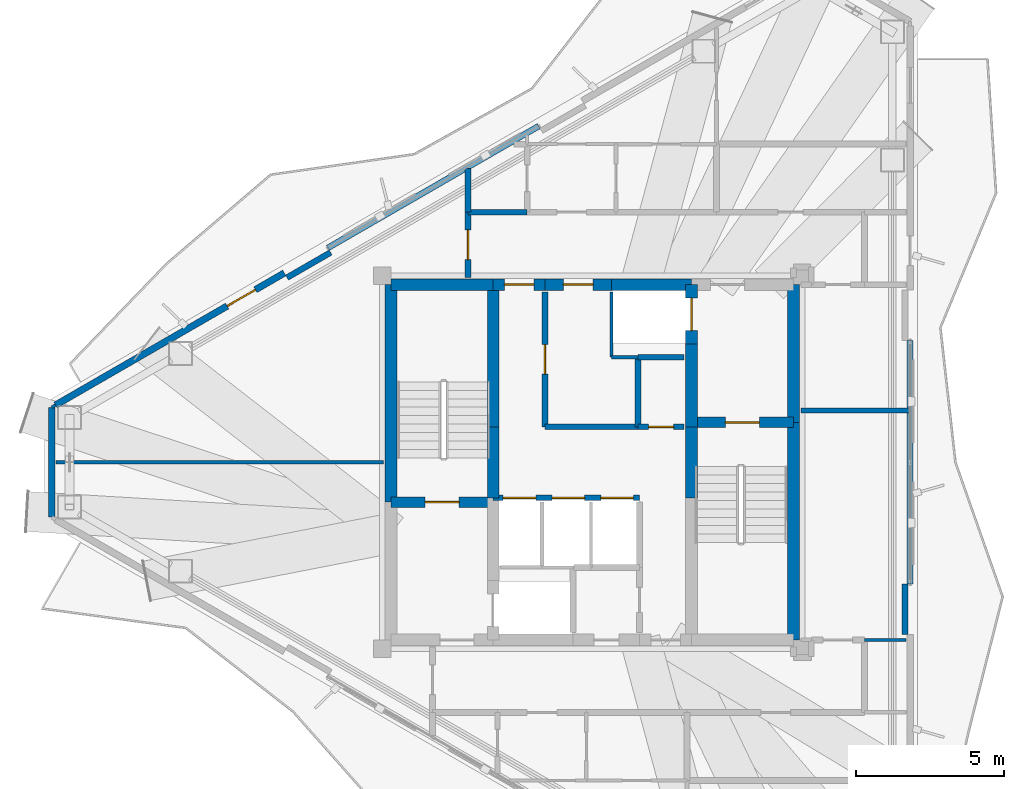
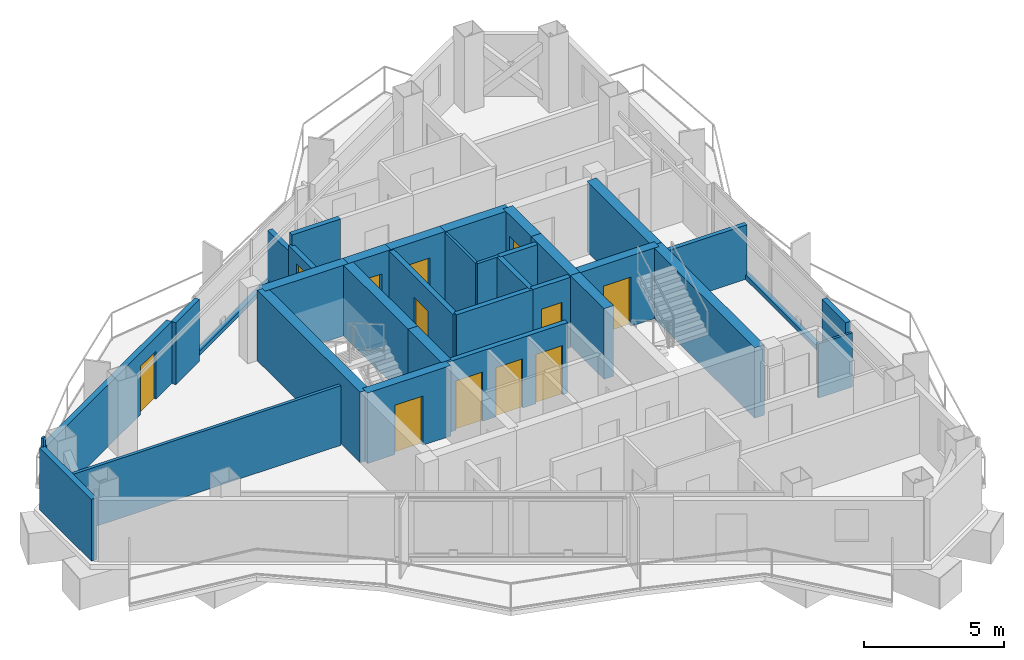
# One storey, part 14 of 17: 35 walls, 12 doors, 12 openings.
"""IFC4 building model written with IfcOpenShell, lengths in metres."""

from ifc_helpers import new_model, si_unit, direction, frame, frame_2d, origin, place, context, subcontext, project, spatial, rectangle, extrude, material, layer, layer_set, type_object, element, fill, save


model = new_model("IFC4")

# Units and contexts
model_context = context("Model", 3, precision=1e-05, world=origin(), true_north=direction((0.0, 1.0)))
body_context = subcontext(model_context, "Body", "Model", "MODEL_VIEW")
ifc_project = project(units=[si_unit("LENGTHUNIT", "METRE"), si_unit("AREAUNIT", "SQUARE_METRE"), si_unit("VOLUMEUNIT", "CUBIC_METRE"), si_unit("PLANEANGLEUNIT", "RADIAN"), si_unit("MASSUNIT", "GRAM", prefix="KILO")], contexts=[model_context])

# Site, building, storey
site_placement = place(None, origin())
site = spatial("IfcSite", under=ifc_project, at=site_placement, CompositionType="ELEMENT")
building_placement = place(site_placement, origin())
building = spatial("IfcBuilding", under=site, at=building_placement, Name="Mersakhor Tower and Convention Hall", CompositionType="ELEMENT")
storey_placement = place(building_placement, frame((0.0, 0.0, 223.199951171875)))
storey = spatial("IfcBuildingStorey", under=building, at=storey_placement, Name="L62", CompositionType="ELEMENT", Elevation=223.199951171875)

# Wall
ifc_material_1 = material(Name="Precast concrete C40/50", Category="concrete")
ifc_layer_1 = layer(ifc_material_1, 0.22509765625)
ifc_layer_set_1 = layer_set([ifc_layer_1], Name="Precast concrete C40/50")
wall_type_1 = type_object("IfcWallType", Name="WL-EXT-225", PredefinedType="SOLIDWALL", material=ifc_layer_set_1)
wall_1_placement = place(storey_placement, frame((10.73193359375, 24.892333984375, 0.0), z_axis=(0.0, 0.0, 1.0), x_axis=(0.0, 1.0, 0.0)))
element("IfcWall", 1, at=wall_1_placement, inside=storey, type_object=wall_type_1, Name="L62 Chamfer Braced Spandrel Wall C3", PredefinedType="SOLIDWALL", context=body_context, shape_type="SweptSolid", body=[
    extrude(rectangle(XDim=3.71533203125, YDim=0.22509765625, at=frame_2d((1.857666015625, 0.0))), origin(), (0.0, 0.0, 1.0), 2.699951171875),
])

# Wall, opening, door
wall_2_placement = place(storey_placement, frame((10.86181640625, 28.6826171875, 0.0), z_axis=(0.0, 0.0, 1.0), x_axis=(0.866026655105, 0.499997832642, 0.0)))
wall_2 = element("IfcWall", 2, at=wall_2_placement, inside=storey, type_object=wall_type_1, Name="L62 Exterior Facade Wall F1-B1", PredefinedType="SOLIDWALL", context=body_context, shape_type="SweptSolid", body=[
    extrude(rectangle(XDim=8.927734375, YDim=0.22509765625, at=frame_2d((4.4638671875, 0.0))), origin(), (0.0, 0.0, 1.0), 2.699951171875),
])
opening_1_placement = place(wall_2_placement, frame((6.696044921875, 0.0, 0.0)))
opening_1 = element("IfcOpeningElement", 3, at=opening_1_placement, cuts=wall_2, Name="Opening BD-02", PredefinedType="OPENING", context=body_context, shape_type="SweptSolid", body=[
    extrude(rectangle(XDim=1.10009765625, YDim=2.10009765625, at=frame_2d((0.550048828125, 1.050048828125))), frame((0.0, 0.12255859375, 0.0), z_axis=(0.0, -1.0, 0.0), x_axis=(1.0, 0.0, 0.0)), (0.0, 0.0, 1.0), 0.2451171875),
])
ifc_material_2 = material(Name="Thermally broken dark aluminium and safety glass", Category="aluminium")
door_type_1 = type_object("IfcDoorType", Name="DR-BAL-110x210", OperationType="NOTDEFINED", PredefinedType="DOOR", material=ifc_material_2)
door_1_placement = place(opening_1_placement, origin())
door_1 = element("IfcDoor", 4, at=door_1_placement, inside=storey, type_object=door_type_1, Name="L62 Balcony Terrace Door F1-B1", OperationType="SINGLE_SWING_RIGHT", OverallHeight=2.10009765625, OverallWidth=1.10009765625, PredefinedType="DOOR", context=body_context, shape_type="SweptSolid", body=[
    extrude(rectangle(XDim=1.10009765625, YDim=2.10009765625, at=frame_2d((0.550048828125, 1.050048828125))), frame((0.0, 0.02490234375, 0.0), z_axis=(0.0, -1.0, 0.0), x_axis=(1.0, 0.0, 0.0)), (0.0, 0.0, 1.0), 0.050048828125),
])
fill(opening_1, door_1)

# Walls
ifc_material_3 = material(Name="Precast concrete C40/50", Category="concrete")
ifc_layer_2 = layer(ifc_material_3, 0.199951171875)
ifc_layer_set_2 = layer_set([ifc_layer_2], Name="Precast concrete C40/50")
wall_type_2 = type_object("IfcWallType", Name="WL-PAR-200", PredefinedType="PARAPET", material=ifc_layer_set_2)
wall_3_placement = place(storey_placement, frame((20.06591796875, 33.99658203125, 0.0), z_axis=(0.0, 0.0, 1.0), x_axis=(0.866019557082, 0.500010126649, 0.0)))
element("IfcWall", 5, at=wall_3_placement, inside=storey, type_object=wall_type_2, Name="L62 Curtain Wall Upstand Sill F1-B2", PredefinedType="PARAPET", context=body_context, shape_type="SweptSolid", body=[
    extrude(rectangle(XDim=8.227783203125, YDim=0.199951171875, at=frame_2d((4.11376953125, 0.0))), origin(), (0.0, 0.0, 1.0), 0.199951171875),
])
wall_4_placement = place(storey_placement, frame((18.68359375, 32.99072265625, 0.0), z_axis=(0.0, 0.0, 1.0), x_axis=(0.866025371046, 0.500000056704, 0.0)))
element("IfcWall", 6, at=wall_4_placement, inside=storey, type_object=wall_type_2, Name="L62 Column Pier Cladding Wall F1-C1", PredefinedType="PARAPET", context=body_context, shape_type="SweptSolid", body=[
    extrude(rectangle(XDim=1.7001953125, YDim=0.199951171875, at=frame_2d((0.85009765625, 0.0))), origin(), (0.0, 0.0, 1.0), 2.699951171875),
])
wall_5_placement = place(storey_placement, frame((39.742919921875, 30.864013671875, 0.0), z_axis=(0.0, 0.0, 1.0), x_axis=(0.0, -1.0, 0.0)))
element("IfcWall", 7, at=wall_5_placement, inside=storey, type_object=wall_type_2, Name="L62 Curtain Wall Upstand Sill F2-B2", PredefinedType="PARAPET", context=body_context, shape_type="SweptSolid", body=[
    extrude(rectangle(XDim=8.22802734375, YDim=0.199951171875, at=frame_2d((4.114013671875, 0.0))), origin(), (0.0, 0.0, 1.0), 0.199951171875),
])
wall_6_placement = place(storey_placement, frame((39.562744140625, 22.635986328125, 0.0), z_axis=(0.0, 0.0, 1.0), x_axis=(0.0, -1.0, 0.0)))
element("IfcWall", 8, at=wall_6_placement, inside=storey, type_object=wall_type_2, Name="L62 Column Pier Cladding Wall F2-C2", PredefinedType="PARAPET", context=body_context, shape_type="SweptSolid", body=[
    extrude(rectangle(XDim=1.699951171875, YDim=0.199951171875, at=frame_2d((0.85009765625, 0.0))), origin(), (0.0, 0.0, 1.0), 2.699951171875),
])
ifc_material_4 = material(Name="Moisture-resistant acoustic drywall studwork", Category="other")
ifc_layer_3 = layer(ifc_material_4, 0.175048828125)
ifc_layer_set_3 = layer_set([ifc_layer_3], Name="Moisture-resistant acoustic drywall studwork")
wall_type_3 = type_object("IfcWallType", Name="WL-PLM-175", PredefinedType="PLUMBINGWALL", material=ifc_layer_set_3)
wall_7_placement = place(storey_placement, frame((39.702880859375, 28.5, 0.0), z_axis=(0.0, 0.0, 1.0), x_axis=(-1.0, 0.0, 0.0)))
element("IfcWall", 9, at=wall_7_placement, inside=storey, type_object=wall_type_3, Name="L62 Interior Partition Wall P-044", PredefinedType="PLUMBINGWALL", context=body_context, shape_type="SweptSolid", body=[
    extrude(rectangle(XDim=3.65283203125, YDim=0.175048828125, at=frame_2d((1.826416015625, 0.0))), origin(), (0.0, 0.0, 1.0), 2.364990234375),
])
ifc_material_5 = material(Name="Lightweight gypsum partition", Category="other")
ifc_layer_4 = layer(ifc_material_5, 0.10009765625)
ifc_layer_set_4 = layer_set([ifc_layer_4], Name="Lightweight gypsum partition")
wall_type_4 = type_object("IfcWallType", Name="WL-PRT-100", PredefinedType="PARTITIONING", material=ifc_layer_set_4)
wall_8_placement = place(storey_placement, frame((29.64990234375, 30.300048828125, 0.0), z_axis=(0.0, 0.0, 1.0), x_axis=(0.0, 1.0, 0.0)))
element("IfcWall", 10, at=wall_8_placement, inside=storey, type_object=wall_type_4, Name="L62 Interior Partition Wall P-006", PredefinedType="PARTITIONING", context=body_context, shape_type="SweptSolid", body=[
    extrude(rectangle(XDim=2.199951171875, YDim=0.10009765625, at=frame_2d((1.10009765625, 0.0))), origin(), (0.0, 0.0, 1.0), 3.080078125),
])
wall_9_placement = place(storey_placement, frame((10.73193359375, 28.60791015625, 0.0), z_axis=(0.0, 0.0, 1.0), x_axis=(0.866131372301, 0.499816412211, 0.0)))
element("IfcWall", 11, at=wall_9_placement, inside=storey, type_object=wall_type_4, Name="L62 Interior Partition Wall P-058", PredefinedType="PARTITIONING", context=body_context, shape_type="SweptSolid", body=[
    extrude(rectangle(XDim=0.14990234375, YDim=0.10009765625, at=frame_2d((0.074951171875, 0.0))), origin(), (0.0, 0.0, 1.0), 3.080078125),
])
wall_10_placement = place(storey_placement, frame((39.606201171875, 20.75, 0.0), z_axis=(0.0, 0.0, 1.0), x_axis=(-1.0, 0.0, 0.0)))
element("IfcWall", 12, at=wall_10_placement, inside=storey, type_object=wall_type_4, Name="L62 Interior Partition Wall P-060", PredefinedType="PARTITIONING", context=body_context, shape_type="SweptSolid", body=[
    extrude(rectangle(XDim=1.40625, YDim=0.10009765625, at=frame_2d((0.703125, 0.0))), origin(), (0.0, 0.0, 1.0), 2.364990234375),
])
ifc_material_6 = material(Name="Gypsum board acoustic partition", Category="other")
ifc_layer_5 = layer(ifc_material_6, 0.125)
ifc_layer_set_5 = layer_set([ifc_layer_5], Name="Gypsum board acoustic partition")
wall_type_5 = type_object("IfcWallType", Name="WL-PRT-125", PredefinedType="PARTITIONING", material=ifc_layer_set_5)
wall_11_placement = place(storey_placement, frame((30.550048828125, 30.300048828125, 0.0), z_axis=(0.0, 0.0, 1.0), x_axis=(-1.0, 0.0, 0.0)))
element("IfcWall", 13, at=wall_11_placement, inside=storey, type_object=wall_type_5, Name="L62 Interior Partition Wall P-005", PredefinedType="PARTITIONING", context=body_context, shape_type="SweptSolid", body=[
    extrude(rectangle(XDim=0.900146484375, YDim=0.125, at=frame_2d((0.4501953125, 0.0))), origin(), (0.0, 0.0, 1.0), 3.080078125),
])
wall_12_placement = place(storey_placement, frame((21.949951171875, 26.75, 0.0), z_axis=(0.0, 0.0, 1.0), x_axis=(-1.0, 0.0, 0.0)))
element("IfcWall", 14, at=wall_12_placement, inside=storey, type_object=wall_type_5, Name="L62 Interior Partition Wall P-057", PredefinedType="PARTITIONING", context=body_context, shape_type="SweptSolid", body=[
    extrude(rectangle(XDim=11.08154296875, YDim=0.125, at=frame_2d((5.540771484375, 0.0))), origin(), (0.0, 0.0, 1.0), 2.60498046875),
])

# Wall, openings, doors
ifc_material_7 = material(Name="Acoustic concrete blockwork and gypsum board", Category="masonry")
ifc_layer_6 = layer(ifc_material_7, 0.199951171875)
ifc_layer_set_6 = layer_set([ifc_layer_6], Name="Acoustic concrete blockwork and gypsum board")
wall_type_6 = type_object("IfcWallType", Name="WL-PRT-200", PredefinedType="PARTITIONING", material=ifc_layer_set_6)
wall_13_placement = place(storey_placement, frame((25.64990234375, 25.550048828125, 0.0), z_axis=(0.0, 0.0, 1.0), x_axis=(1.0, 0.0, 0.0)))
wall_13 = element("IfcWall", 15, at=wall_13_placement, inside=storey, type_object=wall_type_6, Name="L62 High-Rise Lift Bank Front Wall", PredefinedType="PARTITIONING", context=body_context, shape_type="SweptSolid", body=[
    extrude(rectangle(XDim=4.9501953125, YDim=0.199951171875, at=frame_2d((2.47509765625, 0.0))), origin(), (0.0, 0.0, 1.0), 3.080078125),
])
opening_2_placement = place(wall_13_placement, frame((0.340087890625, 0.0, 0.0)))
opening_2 = element("IfcOpeningElement", 16, at=opening_2_placement, cuts=wall_13, Name="Opening LD-P4", PredefinedType="OPENING", context=body_context, shape_type="SweptSolid", body=[
    extrude(rectangle(XDim=1.10009765625, YDim=2.14990234375, at=frame_2d((0.550048828125, 1.074951171875))), frame((0.0, 0.10986328125, 0.0), z_axis=(0.0, -1.0, 0.0), x_axis=(1.0, 0.0, 0.0)), (0.0, 0.0, 1.0), 0.219970703125),
])
opening_3_placement = place(wall_13_placement, frame((1.989990234375, 0.0, 0.0)))
opening_3 = element("IfcOpeningElement", 17, at=opening_3_placement, cuts=wall_13, Name="Opening LD-P5", PredefinedType="OPENING", context=body_context, shape_type="SweptSolid", body=[
    extrude(rectangle(XDim=1.10009765625, YDim=2.14990234375, at=frame_2d((0.550048828125, 1.074951171875))), frame((0.0, 0.10986328125, 0.0), z_axis=(0.0, -1.0, 0.0), x_axis=(1.0, 0.0, 0.0)), (0.0, 0.0, 1.0), 0.219970703125),
])
opening_4_placement = place(wall_13_placement, frame((3.639892578125, 0.0, 0.0)))
opening_4 = element("IfcOpeningElement", 18, at=opening_4_placement, cuts=wall_13, Name="Opening LD-P6", PredefinedType="OPENING", context=body_context, shape_type="SweptSolid", body=[
    extrude(rectangle(XDim=1.10009765625, YDim=2.14990234375, at=frame_2d((0.550048828125, 1.074951171875))), frame((0.0, 0.10986328125, 0.0), z_axis=(0.0, -1.0, 0.0), x_axis=(1.0, 0.0, 0.0)), (0.0, 0.0, 1.0), 0.219970703125),
])
ifc_material_8 = material(Name="Fire-rated brushed stainless steel sliding landing door", Category="steel")
door_type_2 = type_object("IfcDoorType", Name="DR-LIFT-SLD-110x215", OperationType="NOTDEFINED", PredefinedType="DOOR", material=ifc_material_8)
door_2_placement = place(opening_2_placement, origin())
door_2 = element("IfcDoor", 19, at=door_2_placement, inside=storey, type_object=door_type_2, Name="L62 Lift Landing Door LD-P4", OperationType="SLIDING_TO_LEFT", OverallHeight=2.14990234375, OverallWidth=1.10009765625, PredefinedType="DOOR", context=body_context, shape_type="SweptSolid", body=[
    extrude(rectangle(XDim=1.10009765625, YDim=2.14990234375, at=frame_2d((0.550048828125, 1.074951171875))), frame((0.0, 0.02490234375, 0.0), z_axis=(0.0, -1.0, 0.0), x_axis=(1.0, 0.0, 0.0)), (0.0, 0.0, 1.0), 0.050048828125),
])
fill(opening_2, door_2)
door_3_placement = place(opening_3_placement, origin())
door_3 = element("IfcDoor", 20, at=door_3_placement, inside=storey, type_object=door_type_2, Name="L62 Lift Landing Door LD-P5", OperationType="SLIDING_TO_LEFT", OverallHeight=2.14990234375, OverallWidth=1.10009765625, PredefinedType="DOOR", context=body_context, shape_type="SweptSolid", body=[
    extrude(rectangle(XDim=1.10009765625, YDim=2.14990234375, at=frame_2d((0.550048828125, 1.074951171875))), frame((0.0, 0.02490234375, 0.0), z_axis=(0.0, -1.0, 0.0), x_axis=(1.0, 0.0, 0.0)), (0.0, 0.0, 1.0), 0.050048828125),
])
fill(opening_3, door_3)
door_4_placement = place(opening_4_placement, origin())
door_4 = element("IfcDoor", 21, at=door_4_placement, inside=storey, type_object=door_type_2, Name="L62 Lift Landing Door LD-P6", OperationType="SLIDING_TO_LEFT", OverallHeight=2.14990234375, OverallWidth=1.10009765625, PredefinedType="DOOR", context=body_context, shape_type="SweptSolid", body=[
    extrude(rectangle(XDim=1.10009765625, YDim=2.14990234375, at=frame_2d((0.550048828125, 1.074951171875))), frame((0.0, 0.02490234375, 0.0), z_axis=(0.0, -1.0, 0.0), x_axis=(1.0, 0.0, 0.0)), (0.0, 0.0, 1.0), 0.050048828125),
])
fill(opening_4, door_4)

# Wall
wall_14_placement = place(storey_placement, frame((32.10009765625, 30.300048828125, 0.0), z_axis=(0.0, 0.0, 1.0), x_axis=(-1.0, 0.0, 0.0)))
element("IfcWall", 22, at=wall_14_placement, inside=storey, type_object=wall_type_6, Name="L62 Interior Partition Wall P-004", PredefinedType="PARTITIONING", context=body_context, shape_type="SweptSolid", body=[
    extrude(rectangle(XDim=1.550048828125, YDim=0.199951171875, at=frame_2d((0.77490234375, 0.0))), origin(), (0.0, 0.0, 1.0), 3.080078125),
])

# Wall, opening, door
wall_15_placement = place(storey_placement, frame((27.39990234375, 32.5, 0.0), z_axis=(0.0, 0.0, 1.0), x_axis=(0.0, -1.0, 0.0)))
wall_15 = element("IfcWall", 23, at=wall_15_placement, inside=storey, type_object=wall_type_6, Name="L62 Interior Partition Wall P-013", PredefinedType="PARTITIONING", context=body_context, shape_type="SweptSolid", body=[
    extrude(rectangle(XDim=4.550048828125, YDim=0.199951171875, at=frame_2d((2.27490234375, 0.0))), origin(), (0.0, 0.0, 1.0), 3.080078125),
])
opening_5_placement = place(wall_15_placement, frame((1.77490234375, 0.0, 0.0)))
opening_5 = element("IfcOpeningElement", 24, at=opening_5_placement, cuts=wall_15, Name="Opening FD-01", PredefinedType="OPENING", context=body_context, shape_type="SweptSolid", body=[
    extrude(rectangle(XDim=1.0, YDim=2.14990234375, at=frame_2d((0.5, 1.074951171875))), frame((0.0, 0.10986328125, 0.0), z_axis=(0.0, -1.0, 0.0), x_axis=(1.0, 0.0, 0.0)), (0.0, 0.0, 1.0), 0.219970703125),
])
ifc_material_9 = material(Name="Fire-rated hardwood leaf and painted steel frame", Category="steel")
door_type_3 = type_object("IfcDoorType", Name="DR-INT-FLT-100x215", OperationType="NOTDEFINED", PredefinedType="DOOR", material=ifc_material_9)
door_5_placement = place(opening_5_placement, origin())
door_5 = element("IfcDoor", 25, at=door_5_placement, inside=storey, type_object=door_type_3, Name="L62 Central Passenger Lift Lobby to Quiet Core Study Room Door", OperationType="SINGLE_SWING_RIGHT", OverallHeight=2.14990234375, OverallWidth=1.0, PredefinedType="DOOR", context=body_context, shape_type="SweptSolid", body=[
    extrude(rectangle(XDim=1.0, YDim=2.14990234375, at=frame_2d((0.5, 1.074951171875))), frame((0.0, 0.02490234375, 0.0), z_axis=(0.0, -1.0, 0.0), x_axis=(1.0, 0.0, 0.0)), (0.0, 0.0, 1.0), 0.050048828125),
])
fill(opening_5, door_5)

# Wall
wall_16_placement = place(storey_placement, frame((27.39990234375, 27.949951171875, 0.0), z_axis=(0.0, 0.0, 1.0), x_axis=(1.0, 0.0, 0.0)))
element("IfcWall", 26, at=wall_16_placement, inside=storey, type_object=wall_type_6, Name="L62 Interior Partition Wall P-014", PredefinedType="PARTITIONING", context=body_context, shape_type="SweptSolid", body=[
    extrude(rectangle(XDim=3.150146484375, YDim=0.199951171875, at=frame_2d((1.5751953125, 0.0))), origin(), (0.0, 0.0, 1.0), 3.080078125),
])

# Wall, opening, door
wall_17_placement = place(storey_placement, frame((30.550048828125, 27.949951171875, 0.0), z_axis=(0.0, 0.0, 1.0), x_axis=(1.0, 0.0, 0.0)))
wall_17 = element("IfcWall", 27, at=wall_17_placement, inside=storey, type_object=wall_type_6, Name="L62 Interior Partition Wall P-015", PredefinedType="PARTITIONING", context=body_context, shape_type="SweptSolid", body=[
    extrude(rectangle(XDim=1.550048828125, YDim=0.199951171875, at=frame_2d((0.77490234375, 0.0))), origin(), (0.0, 0.0, 1.0), 3.080078125),
])
opening_6_placement = place(wall_17_placement, frame((0.35009765625, 0.0, 0.0)))
opening_6 = element("IfcOpeningElement", 28, at=opening_6_placement, cuts=wall_17, Name="Opening SVD-01", PredefinedType="OPENING", context=body_context, shape_type="SweptSolid", body=[
    extrude(rectangle(XDim=0.85009765625, YDim=2.10009765625, at=frame_2d((0.425048828125, 1.050048828125))), frame((0.0, 0.10986328125, 0.0), z_axis=(0.0, -1.0, 0.0), x_axis=(1.0, 0.0, 0.0)), (0.0, 0.0, 1.0), 0.219970703125),
])
ifc_material_10 = material(Name="Fire-rated hardwood leaf and painted steel frame", Category="steel")
door_type_4 = type_object("IfcDoorType", Name="DR-INT-SVC-085x210", OperationType="NOTDEFINED", PredefinedType="DOOR", material=ifc_material_10)
door_6_placement = place(opening_6_placement, origin())
door_6 = element("IfcDoor", 29, at=door_6_placement, inside=storey, type_object=door_type_4, Name="L62 Central Passenger Lift Lobby to Housekeeping Linen Store Room Door", OperationType="SINGLE_SWING_LEFT", OverallHeight=2.10009765625, OverallWidth=0.85009765625, PredefinedType="DOOR", context=body_context, shape_type="SweptSolid", body=[
    extrude(rectangle(XDim=0.85009765625, YDim=2.10009765625, at=frame_2d((0.425048828125, 1.050048828125))), frame((0.0, 0.02490234375, 0.0), z_axis=(0.0, -1.0, 0.0), x_axis=(1.0, 0.0, 0.0)), (0.0, 0.0, 1.0), 0.050048828125),
])
fill(opening_6, door_6)

# Wall
wall_18_placement = place(storey_placement, frame((24.800048828125, 35.199951171875, 0.0), z_axis=(0.0, 0.0, 1.0), x_axis=(1.0, 0.0, 0.0)))
element("IfcWall", 30, at=wall_18_placement, inside=storey, type_object=wall_type_6, Name="L62 Interior Partition Wall P-016", PredefinedType="PARTITIONING", context=body_context, shape_type="SweptSolid", body=[
    extrude(rectangle(XDim=2.0, YDim=0.199951171875, at=frame_2d((1.0, 0.0))), origin(), (0.0, 0.0, 1.0), 3.080078125),
])

# Wall, opening, door
wall_19_placement = place(storey_placement, frame((24.800048828125, 33.0, 0.0), z_axis=(0.0, 0.0, 1.0), x_axis=(0.0, 1.0, 0.0)))
wall_19 = element("IfcWall", 31, at=wall_19_placement, inside=storey, type_object=wall_type_6, Name="L62 Interior Partition Wall P-025", PredefinedType="PARTITIONING", context=body_context, shape_type="SweptSolid", body=[
    extrude(rectangle(XDim=2.199951171875, YDim=0.199951171875, at=frame_2d((1.10009765625, 0.0))), origin(), (0.0, 0.0, 1.0), 2.60498046875),
])
opening_7_placement = place(wall_19_placement, frame((0.60009765625, 0.0, 0.0)))
opening_7 = element("IfcOpeningElement", 32, at=opening_7_placement, cuts=wall_19, Name="Opening FD-01", PredefinedType="OPENING", context=body_context, shape_type="SweptSolid", body=[
    extrude(rectangle(XDim=1.0, YDim=2.14990234375, at=frame_2d((0.5, 1.074951171875))), frame((0.0, 0.10986328125, 0.0), z_axis=(0.0, -1.0, 0.0), x_axis=(1.0, 0.0, 0.0)), (0.0, 0.0, 1.0), 0.219970703125),
])
door_7_placement = place(opening_7_placement, origin())
door_7 = element("IfcDoor", 33, at=door_7_placement, inside=storey, type_object=door_type_3, Name="L62 Residential North Gallery Corridor to L62 West Crown Observation Lounge Door", OperationType="SINGLE_SWING_LEFT", OverallHeight=2.14990234375, OverallWidth=1.0, PredefinedType="DOOR", context=body_context, shape_type="SweptSolid", body=[
    extrude(rectangle(XDim=1.0, YDim=2.14990234375, at=frame_2d((0.5, 1.074951171875))), frame((0.0, 0.02490234375, 0.0), z_axis=(0.0, -1.0, 0.0), x_axis=(1.0, 0.0, 0.0)), (0.0, 0.0, 1.0), 0.050048828125),
])
fill(opening_7, door_7)

# Walls
wall_20_placement = place(storey_placement, frame((24.800048828125, 35.199951171875, 0.0), z_axis=(0.0, 0.0, 1.0), x_axis=(0.0, 1.0, 0.0)))
element("IfcWall", 34, at=wall_20_placement, inside=storey, type_object=wall_type_6, Name="L62 Interior Partition Wall P-045", PredefinedType="PARTITIONING", context=body_context, shape_type="SweptSolid", body=[
    extrude(rectangle(XDim=1.483642578125, YDim=0.199951171875, at=frame_2d((0.74169921875, 0.0))), origin(), (0.0, 0.0, 1.0), 2.364990234375),
])
wall_21_placement = place(storey_placement, frame((30.550048828125, 30.300048828125, 0.0), z_axis=(0.0, 0.0, 1.0), x_axis=(0.0, -1.0, 0.0)))
element("IfcWall", 35, at=wall_21_placement, inside=storey, type_object=wall_type_6, Name="L62 Interior Partition Wall P-052", PredefinedType="PARTITIONING", context=body_context, shape_type="SweptSolid", body=[
    extrude(rectangle(XDim=2.35009765625, YDim=0.199951171875, at=frame_2d((1.175048828125, 0.0))), origin(), (0.0, 0.0, 1.0), 3.080078125),
])

# Wall, opening, door
ifc_material_11 = material(Name="Concrete C50/60", Category="concrete")
ifc_layer_7 = layer(ifc_material_11, 0.35009765625)
ifc_layer_set_7 = layer_set([ifc_layer_7], Name="Concrete C50/60")
wall_type_7 = type_object("IfcWallType", Name="WL-SHR-350", PredefinedType="SHEAR", material=ifc_layer_set_7)
wall_22_placement = place(storey_placement, frame((22.199951171875, 25.39990234375, 0.0), z_axis=(0.0, 0.0, 1.0), x_axis=(1.0, 0.0, 0.0)))
wall_22 = element("IfcWall", 36, at=wall_22_placement, inside=storey, type_object=wall_type_7, Name="L62 Core Wall CS-ST1-S", PredefinedType="SHEAR", context=body_context, shape_type="SweptSolid", body=[
    extrude(rectangle(XDim=3.449951171875, YDim=0.35009765625, at=frame_2d((1.72509765625, 0.0))), origin(), (0.0, 0.0, 1.0), 3.080078125),
])
opening_8_placement = place(wall_22_placement, frame((1.14990234375, 0.0, 0.0)))
opening_8 = element("IfcOpeningElement", 37, at=opening_8_placement, cuts=wall_22, Name="Opening SD-01", PredefinedType="OPENING", context=body_context, shape_type="SweptSolid", body=[
    extrude(rectangle(XDim=1.14990234375, YDim=2.14990234375, at=frame_2d((0.574951171875, 1.074951171875))), frame((0.0, 0.18505859375, 0.0), z_axis=(0.0, -1.0, 0.0), x_axis=(1.0, 0.0, 0.0)), (0.0, 0.0, 1.0), 0.3701171875),
])
ifc_material_12 = material(Name="Fire-rated hardwood leaf and painted steel frame", Category="steel")
door_type_5 = type_object("IfcDoorType", Name="DR-INT-STAIR-115x215", OperationType="NOTDEFINED", PredefinedType="DOOR", material=ifc_material_12)
door_8_placement = place(opening_8_placement, origin())
door_8 = element("IfcDoor", 38, at=door_8_placement, inside=storey, type_object=door_type_5, Name="L62 Exit Stair ST-1 Enclosure Door", OperationType="SINGLE_SWING_LEFT", OverallHeight=2.14990234375, OverallWidth=1.14990234375, PredefinedType="DOOR", context=body_context, shape_type="SweptSolid", body=[
    extrude(rectangle(XDim=1.14990234375, YDim=2.14990234375, at=frame_2d((0.574951171875, 1.074951171875))), frame((0.0, 0.02490234375, 0.0), z_axis=(0.0, -1.0, 0.0), x_axis=(1.0, 0.0, 0.0)), (0.0, 0.0, 1.0), 0.050048828125),
])
fill(opening_8, door_8)

wall_23_placement = place(storey_placement, frame((32.35009765625, 28.10009765625, 0.0), z_axis=(0.0, 0.0, 1.0), x_axis=(1.0, 0.0, 0.0)))
wall_23 = element("IfcWall", 39, at=wall_23_placement, inside=storey, type_object=wall_type_7, Name="L62 Core Wall CS-ST2-N", PredefinedType="SHEAR", context=body_context, shape_type="SweptSolid", body=[
    extrude(rectangle(XDim=3.449951171875, YDim=0.35009765625, at=frame_2d((1.72509765625, 0.0))), origin(), (0.0, 0.0, 1.0), 3.080078125),
])
opening_9_placement = place(wall_23_placement, frame((1.14990234375, 0.0, 0.0)))
opening_9 = element("IfcOpeningElement", 40, at=opening_9_placement, cuts=wall_23, Name="Opening SD-01", PredefinedType="OPENING", context=body_context, shape_type="SweptSolid", body=[
    extrude(rectangle(XDim=1.14990234375, YDim=2.14990234375, at=frame_2d((0.574951171875, 1.074951171875))), frame((0.0, 0.18505859375, 0.0), z_axis=(0.0, -1.0, 0.0), x_axis=(1.0, 0.0, 0.0)), (0.0, 0.0, 1.0), 0.3701171875),
])
door_9_placement = place(opening_9_placement, origin())
door_9 = element("IfcDoor", 41, at=door_9_placement, inside=storey, type_object=door_type_5, Name="L62 Exit Stair ST-2 Enclosure Door", OperationType="SINGLE_SWING_RIGHT", OverallHeight=2.14990234375, OverallWidth=1.14990234375, PredefinedType="DOOR", context=body_context, shape_type="SweptSolid", body=[
    extrude(rectangle(XDim=1.14990234375, YDim=2.14990234375, at=frame_2d((0.574951171875, 1.074951171875))), frame((0.0, 0.02490234375, 0.0), z_axis=(0.0, -1.0, 0.0), x_axis=(1.0, 0.0, 0.0)), (0.0, 0.0, 1.0), 0.050048828125),
])
fill(opening_9, door_9)

# Walls
ifc_material_13 = material(Name="Concrete C60/75", Category="concrete")
ifc_layer_8 = layer(ifc_material_13, 0.39990234375)
ifc_layer_set_8 = layer_set([ifc_layer_8], Name="Concrete C60/75")
wall_type_8 = type_object("IfcWallType", Name="WL-SHR-400", PredefinedType="SHEAR", material=ifc_layer_set_8)
wall_24_placement = place(storey_placement, frame((22.199951171875, 25.39990234375, 0.0), z_axis=(0.0, 0.0, 1.0), x_axis=(0.0, 1.0, 0.0)))
element("IfcWall", 42, at=wall_24_placement, inside=storey, type_object=wall_type_8, Name="L62 Core Wall CW-W2", PredefinedType="SHEAR", context=body_context, shape_type="SweptSolid", body=[
    extrude(rectangle(XDim=7.35009765625, YDim=0.39990234375, at=frame_2d((3.675048828125, 0.0))), origin(), (0.0, 0.0, 1.0), 3.080078125),
])
wall_25_placement = place(storey_placement, frame((22.199951171875, 32.75, 0.0), z_axis=(0.0, 0.0, 1.0), x_axis=(1.0, 0.0, 0.0)))
element("IfcWall", 43, at=wall_25_placement, inside=storey, type_object=wall_type_8, Name="L62 Core Wall CW-N1", PredefinedType="SHEAR", context=body_context, shape_type="SweptSolid", body=[
    extrude(rectangle(XDim=3.449951171875, YDim=0.39990234375, at=frame_2d((1.72509765625, 0.0))), origin(), (0.0, 0.0, 1.0), 3.080078125),
])

# Wall, opening, door
wall_26_placement = place(storey_placement, frame((25.64990234375, 32.75, 0.0), z_axis=(0.0, 0.0, 1.0), x_axis=(1.0, 0.0, 0.0)))
wall_26 = element("IfcWall", 44, at=wall_26_placement, inside=storey, type_object=wall_type_8, Name="L62 Core Wall CW-N2A", PredefinedType="SHEAR", context=body_context, shape_type="SweptSolid", body=[
    extrude(rectangle(XDim=1.75, YDim=0.39990234375, at=frame_2d((0.875, 0.0))), origin(), (0.0, 0.0, 1.0), 3.080078125),
])
opening_10_placement = place(wall_26_placement, frame((0.375, 0.0, 0.0)))
opening_10 = element("IfcOpeningElement", 45, at=opening_10_placement, cuts=wall_26, Name="Opening CFD-01", PredefinedType="OPENING", context=body_context, shape_type="SweptSolid", body=[
    extrude(rectangle(XDim=1.0, YDim=2.14990234375, at=frame_2d((0.5, 1.074951171875))), frame((0.0, 0.2099609375, 0.0), z_axis=(0.0, -1.0, 0.0), x_axis=(1.0, 0.0, 0.0)), (0.0, 0.0, 1.0), 0.419921875),
])
ifc_material_14 = material(Name="Fire-rated hardwood leaf and painted steel frame", Category="steel")
door_type_6 = type_object("IfcDoorType", Name="DR-CORE-FD-100x215", OperationType="NOTDEFINED", PredefinedType="DOOR", material=ifc_material_14)
door_10_placement = place(opening_10_placement, origin())
door_10 = element("IfcDoor", 46, at=door_10_placement, inside=storey, type_object=door_type_6, Name="L62 Lift Lobby North Corridor Door", OperationType="SINGLE_SWING_LEFT", OverallHeight=2.14990234375, OverallWidth=1.0, PredefinedType="DOOR", context=body_context, shape_type="SweptSolid", body=[
    extrude(rectangle(XDim=1.0, YDim=2.14990234375, at=frame_2d((0.5, 1.074951171875))), frame((0.0, 0.02490234375, 0.0), z_axis=(0.0, -1.0, 0.0), x_axis=(1.0, 0.0, 0.0)), (0.0, 0.0, 1.0), 0.050048828125),
])
fill(opening_10, door_10)

wall_27_placement = place(storey_placement, frame((27.39990234375, 32.75, 0.0), z_axis=(0.0, 0.0, 1.0), x_axis=(1.0, 0.0, 0.0)))
wall_27 = element("IfcWall", 47, at=wall_27_placement, inside=storey, type_object=wall_type_8, Name="L62 Core Wall CW-N2B", PredefinedType="SHEAR", context=body_context, shape_type="SweptSolid", body=[
    extrude(rectangle(XDim=2.25, YDim=0.39990234375, at=frame_2d((1.125, 0.0))), origin(), (0.0, 0.0, 1.0), 3.080078125),
])
opening_11_placement = place(wall_27_placement, frame((0.625, 0.0, 0.0)))
opening_11 = element("IfcOpeningElement", 48, at=opening_11_placement, cuts=wall_27, Name="Opening FD-01", PredefinedType="OPENING", context=body_context, shape_type="SweptSolid", body=[
    extrude(rectangle(XDim=1.0, YDim=2.14990234375, at=frame_2d((0.5, 1.074951171875))), frame((0.0, 0.2099609375, 0.0), z_axis=(0.0, -1.0, 0.0), x_axis=(1.0, 0.0, 0.0)), (0.0, 0.0, 1.0), 0.419921875),
])
door_11_placement = place(opening_11_placement, origin())
door_11 = element("IfcDoor", 49, at=door_11_placement, inside=storey, type_object=door_type_3, Name="L62 Residential North Gallery Corridor to Quiet Core Study Room Door", OperationType="SINGLE_SWING_LEFT", OverallHeight=2.14990234375, OverallWidth=1.0, PredefinedType="DOOR", context=body_context, shape_type="SweptSolid", body=[
    extrude(rectangle(XDim=1.0, YDim=2.14990234375, at=frame_2d((0.5, 1.074951171875))), frame((0.0, 0.02490234375, 0.0), z_axis=(0.0, -1.0, 0.0), x_axis=(1.0, 0.0, 0.0)), (0.0, 0.0, 1.0), 0.050048828125),
])
fill(opening_11, door_11)

# Walls
wall_28_placement = place(storey_placement, frame((29.64990234375, 32.75, 0.0), z_axis=(0.0, 0.0, 1.0), x_axis=(1.0, 0.0, 0.0)))
element("IfcWall", 50, at=wall_28_placement, inside=storey, type_object=wall_type_8, Name="L62 Core Wall CW-N3", PredefinedType="SHEAR", context=body_context, shape_type="SweptSolid", body=[
    extrude(rectangle(XDim=2.7001953125, YDim=0.39990234375, at=frame_2d((1.35009765625, 0.0))), origin(), (0.0, 0.0, 1.0), 3.080078125),
])
wall_29_placement = place(storey_placement, frame((35.800048828125, 32.75, 0.0), z_axis=(0.0, 0.0, 1.0), x_axis=(0.0, -1.0, 0.0)))
element("IfcWall", 51, at=wall_29_placement, inside=storey, type_object=wall_type_8, Name="L62 Core Wall CW-E1", PredefinedType="SHEAR", context=body_context, shape_type="SweptSolid", body=[
    extrude(rectangle(XDim=4.64990234375, YDim=0.39990234375, at=frame_2d((2.324951171875, 0.0))), origin(), (0.0, 0.0, 1.0), 3.080078125),
])
wall_30_placement = place(storey_placement, frame((35.800048828125, 28.10009765625, 0.0), z_axis=(0.0, 0.0, 1.0), x_axis=(0.0, -1.0, 0.0)))
element("IfcWall", 52, at=wall_30_placement, inside=storey, type_object=wall_type_8, Name="L62 Core Wall CW-E2", PredefinedType="SHEAR", context=body_context, shape_type="SweptSolid", body=[
    extrude(rectangle(XDim=7.35009765625, YDim=0.39990234375, at=frame_2d((3.675048828125, 0.0))), origin(), (0.0, 0.0, 1.0), 3.080078125),
])
wall_31_placement = place(storey_placement, frame((25.64990234375, 25.550048828125, 0.0), z_axis=(0.0, 0.0, 1.0), x_axis=(0.0, 1.0, 0.0)))
element("IfcWall", 53, at=wall_31_placement, inside=storey, type_object=wall_type_8, Name="L62 Core Wall CS-W-LOB", PredefinedType="SHEAR", context=body_context, shape_type="SweptSolid", body=[
    extrude(rectangle(XDim=2.39990234375, YDim=0.39990234375, at=frame_2d((1.199951171875, 0.0))), origin(), (0.0, 0.0, 1.0), 3.080078125),
])
wall_32_placement = place(storey_placement, frame((25.64990234375, 27.949951171875, 0.0), z_axis=(0.0, 0.0, 1.0), x_axis=(0.0, 1.0, 0.0)))
element("IfcWall", 54, at=wall_32_placement, inside=storey, type_object=wall_type_8, Name="L62 Core Wall CS-W-ST1", PredefinedType="SHEAR", context=body_context, shape_type="SweptSolid", body=[
    extrude(rectangle(XDim=4.800048828125, YDim=0.39990234375, at=frame_2d((2.39990234375, 0.0))), origin(), (0.0, 0.0, 1.0), 3.080078125),
])
wall_33_placement = place(storey_placement, frame((32.35009765625, 25.550048828125, 0.0), z_axis=(0.0, 0.0, 1.0), x_axis=(0.0, 1.0, 0.0)))
element("IfcWall", 55, at=wall_33_placement, inside=storey, type_object=wall_type_8, Name="L62 Core Wall CS-E-LOB", PredefinedType="SHEAR", context=body_context, shape_type="SweptSolid", body=[
    extrude(rectangle(XDim=2.39990234375, YDim=0.39990234375, at=frame_2d((1.199951171875, 0.0))), origin(), (0.0, 0.0, 1.0), 3.080078125),
])
wall_34_placement = place(storey_placement, frame((32.35009765625, 27.949951171875, 0.0), z_axis=(0.0, 0.0, 1.0), x_axis=(0.0, 1.0, 0.0)))
element("IfcWall", 56, at=wall_34_placement, inside=storey, type_object=wall_type_8, Name="L62 Core Wall CS-E-MID", PredefinedType="SHEAR", context=body_context, shape_type="SweptSolid", body=[
    extrude(rectangle(XDim=2.800048828125, YDim=0.39990234375, at=frame_2d((1.39990234375, 0.0))), origin(), (0.0, 0.0, 1.0), 3.080078125),
])

# Wall, opening, door
wall_35_placement = place(storey_placement, frame((32.35009765625, 30.75, 0.0), z_axis=(0.0, 0.0, 1.0), x_axis=(0.0, 1.0, 0.0)))
wall_35 = element("IfcWall", 57, at=wall_35_placement, inside=storey, type_object=wall_type_8, Name="L62 Core Wall CS-E-FFL", PredefinedType="SHEAR", context=body_context, shape_type="SweptSolid", body=[
    extrude(rectangle(XDim=2.0, YDim=0.39990234375, at=frame_2d((1.0, 0.0))), origin(), (0.0, 0.0, 1.0), 3.080078125),
])
opening_12_placement = place(wall_35_placement, frame((0.449951171875, 0.0, 0.0)))
opening_12 = element("IfcOpeningElement", 58, at=opening_12_placement, cuts=wall_35, Name="Opening LD-FFL2", PredefinedType="OPENING", context=body_context, shape_type="SweptSolid", body=[
    extrude(rectangle(XDim=1.10009765625, YDim=2.14990234375, at=frame_2d((0.550048828125, 1.074951171875))), frame((0.0, 0.2099609375, 0.0), z_axis=(0.0, -1.0, 0.0), x_axis=(1.0, 0.0, 0.0)), (0.0, 0.0, 1.0), 0.419921875),
])
door_12_placement = place(opening_12_placement, origin())
door_12 = element("IfcDoor", 59, at=door_12_placement, inside=storey, type_object=door_type_2, Name="L62 Firefighting Lift Landing Door LD-FFL2", OperationType="SLIDING_TO_LEFT", OverallHeight=2.14990234375, OverallWidth=1.10009765625, PredefinedType="DOOR", context=body_context, shape_type="SweptSolid", body=[
    extrude(rectangle(XDim=1.10009765625, YDim=2.14990234375, at=frame_2d((0.550048828125, 1.074951171875))), frame((0.0, 0.02490234375, 0.0), z_axis=(0.0, -1.0, 0.0), x_axis=(1.0, 0.0, 0.0)), (0.0, 0.0, 1.0), 0.050048828125),
])
fill(opening_12, door_12)

save(model, "model.ifc")
